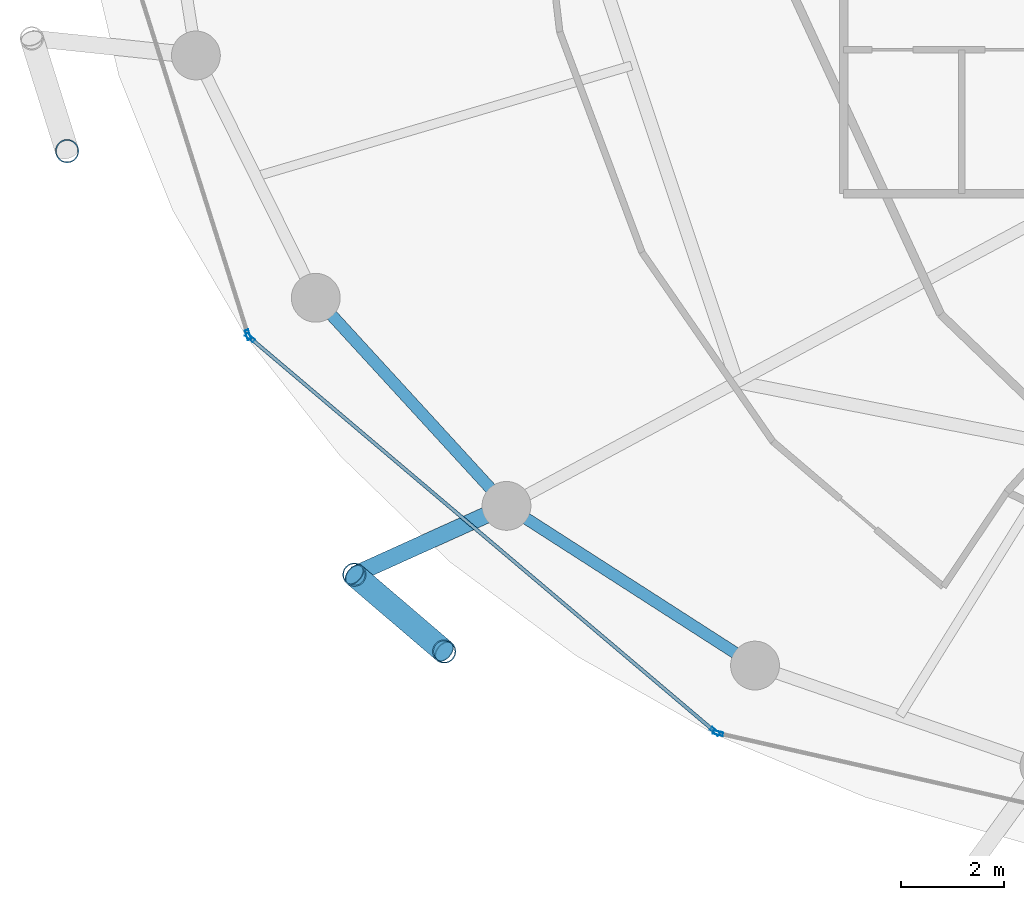
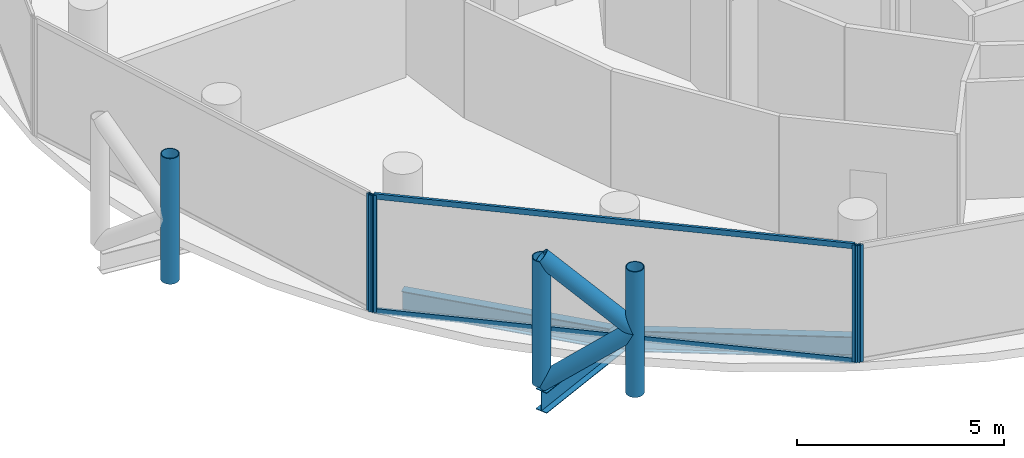
# One storey, part 2 of 26: 11 members, 3 beams, 3 elements without a shape of their own.
"""IFC4 building model written with IfcOpenShell, lengths in metres."""

from ifc_helpers import new_model, si_unit, direction, frame, origin, origin_2d, place, context, subcontext, project, spatial, hollow_rectangle, hollow_circle, i_section, extrude, material, layer, layer_set, material_profile, profile_set, type_object, element, aggregate, save


model = new_model("IFC4")

# Units and contexts
model_context = context("Model", 3, precision=1e-05, world=origin(), true_north=direction((0.0, 1.0)))
body_context = subcontext(model_context, "Body", "Model", "MODEL_VIEW")
ifc_project = project(units=[si_unit("LENGTHUNIT", "METRE"), si_unit("AREAUNIT", "SQUARE_METRE"), si_unit("VOLUMEUNIT", "CUBIC_METRE"), si_unit("PLANEANGLEUNIT", "RADIAN"), si_unit("MASSUNIT", "GRAM", prefix="KILO")], contexts=[model_context])

# Site, building, storey
site_placement = place(None, origin())
site = spatial("IfcSite", under=ifc_project, at=site_placement, CompositionType="ELEMENT")
building_placement = place(site_placement, origin())
building = spatial("IfcBuilding", under=site, at=building_placement, Name="Nuhasar Tower", CompositionType="ELEMENT")
storey_placement = place(building_placement, frame((0.0, 0.0, 129.35009765625)))
storey = spatial("IfcBuildingStorey", under=building, at=storey_placement, Name="L30", CompositionType="ELEMENT", Elevation=129.35009765625)

# Beams
ifc_material_1 = material(Name="Steel S355", Category="steel")
ifc_material_profile_1 = material_profile(ifc_material_1, i_section(OverallWidth=0.22998046875, OverallDepth=0.616943359375, WebThickness=0.01318359375, FlangeThickness=0.022216796875, at=origin_2d()), Name="W24X94")
ifc_profile_set_1 = profile_set([ifc_material_profile_1], Name="Steel S355")
beam_type_1 = type_object("IfcBeamType", Name="BM-RING-W24X94", PredefinedType="SPANDREL", material=ifc_profile_set_1)
beam_1_placement = place(storey_placement, frame((18.778076171875, 17.02490234375, -0.55908203125), z_axis=(0.675676316545, -0.737198423262, 0.0), x_axis=(0.737198423262, 0.675676316545, 0.0)))
element("IfcBeam", 1, at=beam_1_placement, inside=storey, type_object=beam_type_1, Name="L30 Perimeter Ring Spandrel 15", PredefinedType="SPANDREL", context=body_context, shape_type="SweptSolid", body=[
    extrude(i_section(OverallWidth=0.22998046875, OverallDepth=0.616943359375, WebThickness=0.01318359375, FlangeThickness=0.022216796875, at=origin_2d()), origin(), (0.0, 0.0, 1.0), 5.4921875),
])
beam_2_placement = place(storey_placement, frame((22.489013671875, 12.97607421875, -0.55908203125), z_axis=(0.841308170616, -0.540555789955, 0.0), x_axis=(0.540555789955, 0.841308170616, 0.0)))
element("IfcBeam", 2, at=beam_2_placement, inside=storey, type_object=beam_type_1, Name="L30 Perimeter Ring Spandrel 16", PredefinedType="SPANDREL", context=body_context, shape_type="SweptSolid", body=[
    extrude(i_section(OverallWidth=0.22998046875, OverallDepth=0.616943359375, WebThickness=0.01318359375, FlangeThickness=0.022216796875, at=origin_2d()), origin(), (0.0, 0.0, 1.0), 5.748046875),
])
ifc_material_profile_2 = material_profile(ifc_material_1, i_section(OverallWidth=0.323974609375, OverallDepth=0.611083984375, WebThickness=0.0126953125, FlangeThickness=0.01904296875, at=origin_2d()), Name="W24X104")
ifc_profile_set_2 = profile_set([ifc_material_profile_2], Name="Steel S355")
beam_type_2 = type_object("IfcBeamType", Name="BM-TIE-W24X104", PredefinedType="BEAM", material=ifc_profile_set_2)
beam_3_placement = place(storey_placement, frame((22.489013671875, 12.97607421875, -0.55615234375), z_axis=(-0.911211381786, -0.411939094653, 0.0), x_axis=(0.411939094653, -0.911211381786, 0.0)))
element("IfcBeam", 3, at=beam_3_placement, inside=storey, type_object=beam_type_2, Name="L30 Exoskeleton Node Tie Beam 08", PredefinedType="BEAM", context=body_context, shape_type="SweptSolid", body=[
    extrude(i_section(OverallWidth=0.323974609375, OverallDepth=0.611083984375, WebThickness=0.0126953125, FlangeThickness=0.01904296875, at=origin_2d()), origin(), (0.0, 0.0, 1.0), 3.248291015625),
])

# Curtain wall, member
ifc_material_2 = material(Name="Aluminium 6063-T6", Category="aluminium")
ifc_layer = layer(ifc_material_2, 0.199951171875)
ifc_layer_set = layer_set([ifc_layer], Name="Aluminium 6063-T6")
curtain_wall_type = type_object("IfcCurtainWallType", Name="CW-Z2-HTL", PredefinedType="NOTDEFINED", material=ifc_layer_set)
curtain_wall_1_placement = place(storey_placement, origin())
curtain_wall_1 = element("IfcCurtainWall", 4, at=curtain_wall_1_placement, inside=storey, type_object=curtain_wall_type, Name="L30 Unitised Curtain Wall 07", PredefinedType="NOTDEFINED")
ifc_material_profile_3 = material_profile(ifc_material_2, hollow_rectangle(XDim=0.070068359375, YDim=0.199951171875, WallThickness=0.0048828125, at=origin_2d()), Name="CWM-3")
ifc_profile_set_3 = profile_set([ifc_material_profile_3], Name="Aluminium 6063-T6")
member_type_1 = type_object("IfcMemberType", Name="CW-MUL-S3", PredefinedType="MULLION", material=ifc_profile_set_3)
member_1_placement = place(storey_placement, frame((17.46044921875, 16.303466796875, 0.0), z_axis=(0.0, 0.0, 1.0), x_axis=(0.953433389233, 0.301603667577, 0.0)))
member_1 = element("IfcMember", 5, at=member_1_placement, type_object=member_type_1, Name="CW-Z2 mullion 2", PredefinedType="MULLION", context=body_context, shape_type="SweptSolid", body=[
    extrude(hollow_rectangle(XDim=0.070068359375, YDim=0.199951171875, WallThickness=0.0048828125, at=origin_2d()), origin(), (0.0, 0.0, 1.0), 3.449951171875),
])
aggregate(curtain_wall_1, [member_1])

# Curtain wall, members
curtain_wall_2_placement = place(storey_placement, origin())
curtain_wall_2 = element("IfcCurtainWall", 6, at=curtain_wall_2_placement, inside=storey, type_object=curtain_wall_type, Name="L30 Unitised Curtain Wall 08", PredefinedType="NOTDEFINED")
member_2_placement = place(storey_placement, frame((17.497802734375, 16.247314453125, 0.0), z_axis=(0.0, 0.0, 1.0), x_axis=(0.646374438324, 0.763020370292, 0.0)))
member_2 = element("IfcMember", 7, at=member_2_placement, type_object=member_type_1, Name="CW-Z2 mullion 1", PredefinedType="MULLION", context=body_context, shape_type="SweptSolid", body=[
    extrude(hollow_rectangle(XDim=0.070068359375, YDim=0.199951171875, WallThickness=0.0048828125, at=origin_2d()), origin(), (0.0, 0.0, 1.0), 3.449951171875),
])
member_3_placement = place(storey_placement, frame((26.543212890625, 8.584716796875, 0.0), z_axis=(0.0, 0.0, 1.0), x_axis=(0.646374438324, 0.763020370292, 0.0)))
member_3 = element("IfcMember", 8, at=member_3_placement, type_object=member_type_1, Name="CW-Z2 mullion 2", PredefinedType="MULLION", context=body_context, shape_type="SweptSolid", body=[
    extrude(hollow_rectangle(XDim=0.070068359375, YDim=0.199951171875, WallThickness=0.0048828125, at=origin_2d()), origin(), (0.0, 0.0, 1.0), 3.449951171875),
])

# Curtain wall, member
curtain_wall_3_placement = place(storey_placement, origin())
curtain_wall_3 = element("IfcCurtainWall", 9, at=curtain_wall_3_placement, inside=storey, type_object=curtain_wall_type, Name="L30 Unitised Curtain Wall 09", PredefinedType="NOTDEFINED")
member_4_placement = place(storey_placement, frame((26.604248046875, 8.55419921875, 0.0), z_axis=(0.0, 0.0, 1.0), x_axis=(0.22139729566, 0.975183694221, 0.0)))
member_4 = element("IfcMember", 10, at=member_4_placement, type_object=member_type_1, Name="CW-Z2 mullion 1", PredefinedType="MULLION", context=body_context, shape_type="SweptSolid", body=[
    extrude(hollow_rectangle(XDim=0.070068359375, YDim=0.199951171875, WallThickness=0.0048828125, at=origin_2d()), origin(), (0.0, 0.0, 1.0), 3.449951171875),
])
aggregate(curtain_wall_3, [member_4])

# Member
ifc_material_profile_4 = material_profile(ifc_material_2, hollow_rectangle(XDim=0.070068359375, YDim=0.159912109375, WallThickness=0.00439453125, at=origin_2d()), Name="CWT-3")
ifc_profile_set_4 = profile_set([ifc_material_profile_4], Name="Aluminium 6063-T6")
member_type_2 = type_object("IfcMemberType", Name="CW-TRN-S3", PredefinedType="USERDEFINED", material=ifc_profile_set_4)
member_5_placement = place(storey_placement, frame((17.5244140625, 16.224853515625, 0.034912109375), z_axis=(0.763013698099, -0.646382314511, 0.0), x_axis=(0.646382314511, 0.763013698099, 0.0)))
member_5 = element("IfcMember", 11, at=member_5_placement, type_object=member_type_2, Name="CW-Z2 transom 1.1", ObjectType="TRANSOM", PredefinedType="USERDEFINED", context=body_context, shape_type="SweptSolid", body=[
    extrude(hollow_rectangle(XDim=0.070068359375, YDim=0.159912109375, WallThickness=0.00439453125, at=origin_2d()), origin(), (0.0, 0.0, 1.0), 11.78515625),
])

member_6_placement = place(storey_placement, frame((17.5244140625, 16.224853515625, 3.414794921875), z_axis=(0.763013698099, -0.646382314511, 0.0), x_axis=(0.646382314511, 0.763013698099, 0.0)))
member_6 = element("IfcMember", 12, at=member_6_placement, type_object=member_type_2, Name="CW-Z2 transom 1.2", ObjectType="TRANSOM", PredefinedType="USERDEFINED", context=body_context, shape_type="SweptSolid", body=[
    extrude(hollow_rectangle(XDim=0.070068359375, YDim=0.159912109375, WallThickness=0.00439453125, at=origin_2d()), origin(), (0.0, 0.0, 1.0), 11.78515625),
])

aggregate(curtain_wall_2, [member_2, member_3, member_5, member_6])

# Members
ifc_material_3 = material(Name="Steel S460", Category="steel")
ifc_material_profile_5 = material_profile(ifc_material_3, hollow_circle(Radius=0.228515625, WallThickness=0.022216796875, at=origin_2d()), Name="HSS457X22.2")
ifc_profile_set_5 = profile_set([ifc_material_profile_5], Name="Steel S460")
member_type_3 = type_object("IfcMemberType", Name="EXO-BRONZE-457", PredefinedType="BRACE", material=ifc_profile_set_5)
for number, where, z_axis, x_axis, name in (
    (13, (13.93994140625, 19.87890625, 0.0), (0.0, 0.0, 1.0), (1.0, 0.0, 0.0), "L30 Exoskeleton Chord Column EC-07B"),
    (14, (19.529052734375, 11.637939453125, 0.0), (0.0, 0.0, 1.0), (1.0, 0.0, 0.0), "L30 Exoskeleton Chord Column EC-08A"),
    (15, (21.277099609375, 10.14306640625, 0.0), (0.0, 0.0, 1.0), (1.0, 0.0, 0.0), "L30 Exoskeleton Chord Column EC-08B"),
):
    element("IfcMember", number, at=place(storey_placement, frame(where, z_axis=z_axis, x_axis=x_axis)), inside=storey, type_object=member_type_3, Name=name, PredefinedType="BRACE", context=body_context, shape_type="SweptSolid", body=[
        extrude(hollow_circle(Radius=0.228515625, WallThickness=0.022216796875, at=origin_2d()), origin(), (0.0, 0.0, 1.0), 3.699951171875),
    ])
member_7_placement = place(storey_placement, frame((19.529052734375, 11.637939453125, 0.0), z_axis=(0.592225874743, -0.506452378638, 0.626717242029), x_axis=(0.649925557156, 0.7599978751, 0.0)))
element("IfcMember", 16, at=member_7_placement, inside=storey, type_object=member_type_3, Name="L30 Bronze Diagrid Brace W1-08", PredefinedType="BRACE", context=body_context, shape_type="SweptSolid", body=[
    extrude(hollow_circle(Radius=0.228515625, WallThickness=0.022216796875, at=origin_2d()), origin(), (0.0, 0.0, 1.0), 2.95166015625),
])
member_8_placement = place(storey_placement, frame((21.277099609375, 10.14306640625, 1.849853515625), z_axis=(-0.592195175458, 0.506426125604, 0.626767463634), x_axis=(-0.649925557156, -0.7599978751, 0.0)))
element("IfcMember", 17, at=member_8_placement, inside=storey, type_object=member_type_3, Name="L30 Bronze Diagrid Brace W2-08", PredefinedType="BRACE", context=body_context, shape_type="SweptSolid", body=[
    extrude(hollow_circle(Radius=0.228515625, WallThickness=0.022216796875, at=origin_2d()), origin(), (0.0, 0.0, 1.0), 2.951904296875),
])

save(model, "model.ifc")
